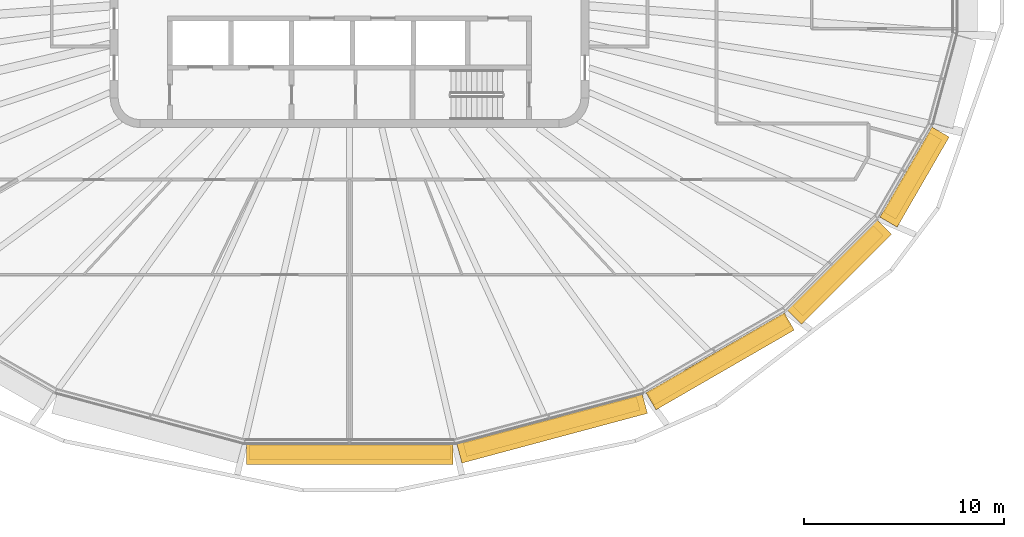
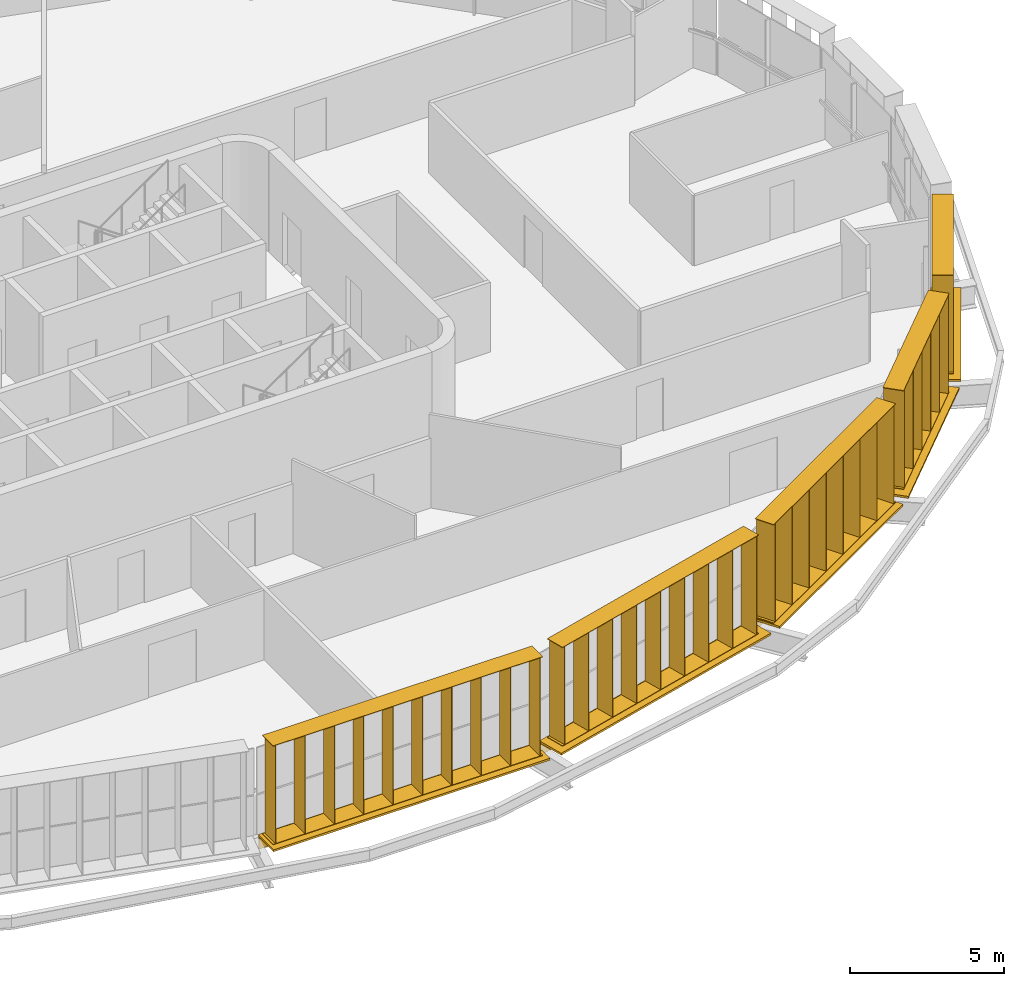
# One storey, part 18 of 20: 10 shading devices.
"""IFC4 building model written with IfcOpenShell, lengths in metres."""

from ifc_helpers import new_model, si_unit, direction, frame, origin, origin_2d, place, context, subcontext, project, spatial, rectangle, extrude, material, type_object, element, save


model = new_model("IFC4")

# Units and contexts
model_context = context("Model", 3, precision=1e-05, world=origin(), true_north=direction((0.0, 1.0)))
body_context = subcontext(model_context, "Body", "Model", "MODEL_VIEW")
ifc_project = project(units=[si_unit("LENGTHUNIT", "METRE"), si_unit("AREAUNIT", "SQUARE_METRE"), si_unit("VOLUMEUNIT", "CUBIC_METRE"), si_unit("PLANEANGLEUNIT", "RADIAN"), si_unit("MASSUNIT", "GRAM", prefix="KILO")], contexts=[model_context])

# Site, building, storey
site_placement = place(None, origin())
site = spatial("IfcSite", under=ifc_project, at=site_placement, CompositionType="ELEMENT")
building_placement = place(site_placement, origin())
building = spatial("IfcBuilding", under=site, at=building_placement, Name="Sahrelin Media Tower", CompositionType="ELEMENT")
storey_placement = place(building_placement, frame((0.0, 0.0, 245.60009765625)))
storey = spatial("IfcBuildingStorey", under=building, at=storey_placement, Name="L53", CompositionType="ELEMENT", Elevation=245.60009765625)

# Shading devices
ifc_material = material(Name="Champagne anodised aluminium 6063-T6", Category="aluminium")
shading_device_type_1 = type_object("IfcShadingDeviceType", Name="Fin cassette", PredefinedType="USERDEFINED", material=ifc_material)
placement_1 = place(storey_placement, frame((0.0, -22.85009765625, 0.0), z_axis=(0.0, 0.0, 1.0), x_axis=(-1.0, 0.0, 0.0)))
element("IfcShadingDevice", 1, at=placement_1, inside=storey, type_object=shading_device_type_1, Name="L53:FIN:L53-18", ObjectType="FIN", PredefinedType="USERDEFINED", context=body_context, shape_type="SweptSolid", body=[
    extrude(rectangle(XDim=10.10009765625, YDim=0.699951171875, at=origin_2d()), frame((0.0, 0.419921875, 0.0)), (0.0, 0.0, 1.0), 0.02001953125),
    extrude(rectangle(XDim=10.10009765625, YDim=0.699951171875, at=origin_2d()), frame((0.0, 0.419921875, 3.89990234375)), (0.0, 0.0, 1.0), 0.02001953125),
    extrude(rectangle(XDim=0.02001953125, YDim=0.699951171875, at=origin_2d()), frame((-4.949951171875, 0.419921875, 0.010009765625), z_axis=(0.0, 0.0, 1.0), x_axis=(1.0, 0.0, 0.0)), (0.0, 0.0, 1.0), 3.89990234375),
    extrude(rectangle(XDim=0.02001953125, YDim=0.699951171875, at=origin_2d()), frame((-3.85009765625, 0.419921875, 0.010009765625), z_axis=(0.0, 0.0, 1.0), x_axis=(1.0, 0.0, 0.0)), (0.0, 0.0, 1.0), 3.89990234375),
    extrude(rectangle(XDim=0.02001953125, YDim=0.699951171875, at=origin_2d()), frame((-2.75, 0.419921875, 0.010009765625), z_axis=(0.0, 0.0, 1.0), x_axis=(1.0, 0.0, 0.0)), (0.0, 0.0, 1.0), 3.89990234375),
    extrude(rectangle(XDim=0.02001953125, YDim=0.699951171875, at=origin_2d()), frame((-1.64990234375, 0.419921875, 0.010009765625), z_axis=(0.0, 0.0, 1.0), x_axis=(1.0, 0.0, 0.0)), (0.0, 0.0, 1.0), 3.89990234375),
    extrude(rectangle(XDim=0.02001953125, YDim=0.699951171875, at=origin_2d()), frame((-0.550048828125, 0.419921875, 0.010009765625), z_axis=(0.0, 0.0, 1.0), x_axis=(1.0, 0.0, 0.0)), (0.0, 0.0, 1.0), 3.89990234375),
    extrude(rectangle(XDim=0.02001953125, YDim=0.699951171875, at=origin_2d()), frame((0.550048828125, 0.419921875, 0.010009765625), z_axis=(0.0, 0.0, 1.0), x_axis=(1.0, 0.0, 0.0)), (0.0, 0.0, 1.0), 3.89990234375),
    extrude(rectangle(XDim=0.02001953125, YDim=0.699951171875, at=origin_2d()), frame((1.64990234375, 0.419921875, 0.010009765625), z_axis=(0.0, 0.0, 1.0), x_axis=(1.0, 0.0, 0.0)), (0.0, 0.0, 1.0), 3.89990234375),
    extrude(rectangle(XDim=0.02001953125, YDim=0.699951171875, at=origin_2d()), frame((2.75, 0.419921875, 0.010009765625), z_axis=(0.0, 0.0, 1.0), x_axis=(1.0, 0.0, 0.0)), (0.0, 0.0, 1.0), 3.89990234375),
    extrude(rectangle(XDim=0.02001953125, YDim=0.699951171875, at=origin_2d()), frame((3.85009765625, 0.419921875, 0.010009765625), z_axis=(0.0, 0.0, 1.0), x_axis=(1.0, 0.0, 0.0)), (0.0, 0.0, 1.0), 3.89990234375),
    extrude(rectangle(XDim=0.02001953125, YDim=0.699951171875, at=origin_2d()), frame((4.949951171875, 0.419921875, 0.010009765625), z_axis=(0.0, 0.0, 1.0), x_axis=(1.0, 0.0, 0.0)), (0.0, 0.0, 1.0), 3.89990234375),
])
placement_2 = place(storey_placement, frame((10.017578125, -21.578857421875, 0.0), z_axis=(0.0, 0.0, 1.0), x_axis=(-0.965928857556, -0.258807731996, 0.0)))
element("IfcShadingDevice", 2, at=placement_2, inside=storey, type_object=shading_device_type_1, Name="L53:FIN:L53-19", ObjectType="FIN", PredefinedType="USERDEFINED", context=body_context, shape_type="SweptSolid", body=[
    extrude(rectangle(XDim=9.0, YDim=0.699951171875, at=origin_2d()), frame((0.0, 0.419921875, 0.0)), (0.0, 0.0, 1.0), 0.02001953125),
    extrude(rectangle(XDim=9.0, YDim=0.699951171875, at=origin_2d()), frame((0.0, 0.419921875, 3.89990234375)), (0.0, 0.0, 1.0), 0.02001953125),
    extrude(rectangle(XDim=0.02001953125, YDim=0.699951171875, at=origin_2d()), frame((-4.39990234375, 0.419921875, 0.010009765625), z_axis=(0.0, 0.0, 1.0), x_axis=(1.0, 0.0, 0.0)), (0.0, 0.0, 1.0), 3.89990234375),
    extrude(rectangle(XDim=0.02001953125, YDim=0.699951171875, at=origin_2d()), frame((-3.300048828125, 0.419921875, 0.010009765625), z_axis=(0.0, 0.0, 1.0), x_axis=(1.0, 0.0, 0.0)), (0.0, 0.0, 1.0), 3.89990234375),
    extrude(rectangle(XDim=0.02001953125, YDim=0.699951171875, at=origin_2d()), frame((-2.199951171875, 0.419921875, 0.010009765625), z_axis=(0.0, 0.0, 1.0), x_axis=(1.0, 0.0, 0.0)), (0.0, 0.0, 1.0), 3.89990234375),
    extrude(rectangle(XDim=0.02001953125, YDim=0.699951171875, at=origin_2d()), frame((-1.10009765625, 0.419921875, 0.010009765625), z_axis=(0.0, 0.0, 1.0), x_axis=(1.0, 0.0, 0.0)), (0.0, 0.0, 1.0), 3.89990234375),
    extrude(rectangle(XDim=0.02001953125, YDim=0.699951171875, at=origin_2d()), frame((0.0, 0.419921875, 0.010009765625), z_axis=(0.0, 0.0, 1.0), x_axis=(1.0, 0.0, 0.0)), (0.0, 0.0, 1.0), 3.89990234375),
    extrude(rectangle(XDim=0.02001953125, YDim=0.699951171875, at=origin_2d()), frame((1.10009765625, 0.419921875, 0.010009765625), z_axis=(0.0, 0.0, 1.0), x_axis=(1.0, 0.0, 0.0)), (0.0, 0.0, 1.0), 3.89990234375),
    extrude(rectangle(XDim=0.02001953125, YDim=0.699951171875, at=origin_2d()), frame((2.199951171875, 0.419921875, 0.010009765625), z_axis=(0.0, 0.0, 1.0), x_axis=(1.0, 0.0, 0.0)), (0.0, 0.0, 1.0), 3.89990234375),
    extrude(rectangle(XDim=0.02001953125, YDim=0.699951171875, at=origin_2d()), frame((3.300048828125, 0.419921875, 0.010009765625), z_axis=(0.0, 0.0, 1.0), x_axis=(1.0, 0.0, 0.0)), (0.0, 0.0, 1.0), 3.89990234375),
    extrude(rectangle(XDim=0.02001953125, YDim=0.699951171875, at=origin_2d()), frame((4.39990234375, 0.419921875, 0.010009765625), z_axis=(0.0, 0.0, 1.0), x_axis=(1.0, 0.0, 0.0)), (0.0, 0.0, 1.0), 3.89990234375),
])
placement_3 = place(storey_placement, frame((18.3115234375, -18.258056640625, 0.0), z_axis=(0.0, 0.0, 1.0), x_axis=(-0.866019052629, -0.500011000363, 0.0)))
element("IfcShadingDevice", 3, at=placement_3, inside=storey, type_object=shading_device_type_1, Name="L53:FIN:L53-20", ObjectType="FIN", PredefinedType="USERDEFINED", context=body_context, shape_type="SweptSolid", body=[
    extrude(rectangle(XDim=7.89990234375, YDim=0.699951171875, at=origin_2d()), frame((0.0, 0.419921875, 0.0)), (0.0, 0.0, 1.0), 0.02001953125),
    extrude(rectangle(XDim=7.89990234375, YDim=0.699951171875, at=origin_2d()), frame((0.0, 0.419921875, 3.89990234375)), (0.0, 0.0, 1.0), 0.02001953125),
    extrude(rectangle(XDim=0.02001953125, YDim=0.699951171875, at=origin_2d()), frame((-3.85009765625, 0.419921875, 0.010009765625), z_axis=(0.0, 0.0, 1.0), x_axis=(1.0, 0.0, 0.0)), (0.0, 0.0, 1.0), 3.89990234375),
    extrude(rectangle(XDim=0.02001953125, YDim=0.699951171875, at=origin_2d()), frame((-2.75, 0.419921875, 0.010009765625), z_axis=(0.0, 0.0, 1.0), x_axis=(1.0, 0.0, 0.0)), (0.0, 0.0, 1.0), 3.89990234375),
    extrude(rectangle(XDim=0.02001953125, YDim=0.699951171875, at=origin_2d()), frame((-1.64990234375, 0.419921875, 0.010009765625), z_axis=(0.0, 0.0, 1.0), x_axis=(1.0, 0.0, 0.0)), (0.0, 0.0, 1.0), 3.89990234375),
    extrude(rectangle(XDim=0.02001953125, YDim=0.699951171875, at=origin_2d()), frame((-0.550048828125, 0.419921875, 0.010009765625), z_axis=(0.0, 0.0, 1.0), x_axis=(1.0, 0.0, 0.0)), (0.0, 0.0, 1.0), 3.89990234375),
    extrude(rectangle(XDim=0.02001953125, YDim=0.699951171875, at=origin_2d()), frame((0.550048828125, 0.419921875, 0.010009765625), z_axis=(0.0, 0.0, 1.0), x_axis=(1.0, 0.0, 0.0)), (0.0, 0.0, 1.0), 3.89990234375),
    extrude(rectangle(XDim=0.02001953125, YDim=0.699951171875, at=origin_2d()), frame((1.64990234375, 0.419921875, 0.010009765625), z_axis=(0.0, 0.0, 1.0), x_axis=(1.0, 0.0, 0.0)), (0.0, 0.0, 1.0), 3.89990234375),
    extrude(rectangle(XDim=0.02001953125, YDim=0.699951171875, at=origin_2d()), frame((2.75, 0.419921875, 0.010009765625), z_axis=(0.0, 0.0, 1.0), x_axis=(1.0, 0.0, 0.0)), (0.0, 0.0, 1.0), 3.89990234375),
    extrude(rectangle(XDim=0.02001953125, YDim=0.699951171875, at=origin_2d()), frame((3.85009765625, 0.419921875, 0.010009765625), z_axis=(0.0, 0.0, 1.0), x_axis=(1.0, 0.0, 0.0)), (0.0, 0.0, 1.0), 3.89990234375),
])
placement_4 = place(storey_placement, frame((24.1865234375, -13.883544921875, 0.0), z_axis=(0.0, 0.0, 1.0), x_axis=(-0.707106781187, -0.707106781187, 0.0)))
element("IfcShadingDevice", 4, at=placement_4, inside=storey, type_object=shading_device_type_1, Name="L53:FIN:L53-21", ObjectType="FIN", PredefinedType="USERDEFINED", context=body_context, shape_type="SweptSolid", body=[
    extrude(rectangle(XDim=5.699951171875, YDim=0.699951171875, at=origin_2d()), frame((0.0, 0.419921875, 0.0)), (0.0, 0.0, 1.0), 0.02001953125),
    extrude(rectangle(XDim=5.699951171875, YDim=0.699951171875, at=origin_2d()), frame((0.0, 0.419921875, 3.89990234375)), (0.0, 0.0, 1.0), 0.02001953125),
    extrude(rectangle(XDim=0.02001953125, YDim=0.699951171875, at=origin_2d()), frame((-2.75, 0.419921875, 0.010009765625), z_axis=(0.0, 0.0, 1.0), x_axis=(1.0, 0.0, 0.0)), (0.0, 0.0, 1.0), 3.89990234375),
    extrude(rectangle(XDim=0.02001953125, YDim=0.699951171875, at=origin_2d()), frame((-1.64990234375, 0.419921875, 0.010009765625), z_axis=(0.0, 0.0, 1.0), x_axis=(1.0, 0.0, 0.0)), (0.0, 0.0, 1.0), 3.89990234375),
    extrude(rectangle(XDim=0.02001953125, YDim=0.699951171875, at=origin_2d()), frame((-0.550048828125, 0.419921875, 0.010009765625), z_axis=(0.0, 0.0, 1.0), x_axis=(1.0, 0.0, 0.0)), (0.0, 0.0, 1.0), 3.89990234375),
    extrude(rectangle(XDim=0.02001953125, YDim=0.699951171875, at=origin_2d()), frame((0.550048828125, 0.419921875, 0.010009765625), z_axis=(0.0, 0.0, 1.0), x_axis=(1.0, 0.0, 0.0)), (0.0, 0.0, 1.0), 3.89990234375),
    extrude(rectangle(XDim=0.02001953125, YDim=0.699951171875, at=origin_2d()), frame((1.64990234375, 0.419921875, 0.010009765625), z_axis=(0.0, 0.0, 1.0), x_axis=(1.0, 0.0, 0.0)), (0.0, 0.0, 1.0), 3.89990234375),
    extrude(rectangle(XDim=0.02001953125, YDim=0.699951171875, at=origin_2d()), frame((2.75, 0.419921875, 0.010009765625), z_axis=(0.0, 0.0, 1.0), x_axis=(1.0, 0.0, 0.0)), (0.0, 0.0, 1.0), 3.89990234375),
])
placement_5 = place(storey_placement, frame((27.865234375, -9.214111328125, 0.0), z_axis=(0.0, 0.0, 1.0), x_axis=(-0.500011000363, -0.866019052629, 0.0)))
element("IfcShadingDevice", 5, at=placement_5, inside=storey, type_object=shading_device_type_1, Name="L53:FIN:L53-22", ObjectType="FIN", PredefinedType="USERDEFINED", context=body_context, shape_type="SweptSolid", body=[
    extrude(rectangle(XDim=4.60009765625, YDim=0.699951171875, at=origin_2d()), frame((0.0, 0.419921875, 0.0)), (0.0, 0.0, 1.0), 0.02001953125),
    extrude(rectangle(XDim=4.60009765625, YDim=0.699951171875, at=origin_2d()), frame((0.0, 0.419921875, 3.89990234375)), (0.0, 0.0, 1.0), 0.02001953125),
    extrude(rectangle(XDim=0.02001953125, YDim=0.699951171875, at=origin_2d()), frame((-2.199951171875, 0.419921875, 0.010009765625), z_axis=(0.0, 0.0, 1.0), x_axis=(1.0, 0.0, 0.0)), (0.0, 0.0, 1.0), 3.89990234375),
    extrude(rectangle(XDim=0.02001953125, YDim=0.699951171875, at=origin_2d()), frame((-1.10009765625, 0.419921875, 0.010009765625), z_axis=(0.0, 0.0, 1.0), x_axis=(1.0, 0.0, 0.0)), (0.0, 0.0, 1.0), 3.89990234375),
    extrude(rectangle(XDim=0.02001953125, YDim=0.699951171875, at=origin_2d()), frame((0.0, 0.419921875, 0.010009765625), z_axis=(0.0, 0.0, 1.0), x_axis=(1.0, 0.0, 0.0)), (0.0, 0.0, 1.0), 3.89990234375),
    extrude(rectangle(XDim=0.02001953125, YDim=0.699951171875, at=origin_2d()), frame((1.10009765625, 0.419921875, 0.010009765625), z_axis=(0.0, 0.0, 1.0), x_axis=(1.0, 0.0, 0.0)), (0.0, 0.0, 1.0), 3.89990234375),
    extrude(rectangle(XDim=0.02001953125, YDim=0.699951171875, at=origin_2d()), frame((2.199951171875, 0.419921875, 0.010009765625), z_axis=(0.0, 0.0, 1.0), x_axis=(1.0, 0.0, 0.0)), (0.0, 0.0, 1.0), 3.89990234375),
])
shading_device_type_2 = type_object("IfcShadingDeviceType", Name="Sunshade band", PredefinedType="USERDEFINED", material=ifc_material)
element("IfcShadingDevice", 6, at=placement_1, inside=storey, type_object=shading_device_type_2, Name="L53:SUN:L53-18", ObjectType="SUNSHADE", PredefinedType="USERDEFINED", context=body_context, shape_type="SweptSolid", body=[
    extrude(rectangle(XDim=10.3466796875, YDim=0.050048828125, at=origin_2d()), frame((0.0, 0.044921875, -0.55126953125)), (0.0, 0.0, 1.0), 0.471435546875),
    extrude(rectangle(XDim=10.3466796875, YDim=1.0, at=origin_2d()), frame((0.0, 0.52001953125, -0.080078125)), (0.0, 0.0, 1.0), 0.080078125),
    extrude(rectangle(XDim=0.10009765625, YDim=0.074951171875, at=origin_2d()), frame((-5.0732421875, -0.017578125, -0.47021484375)), (0.0, 0.0, 1.0), 0.300048828125),
    extrude(rectangle(XDim=0.10009765625, YDim=0.074951171875, at=origin_2d()), frame((-3.382080078125, -0.017578125, -0.47021484375)), (0.0, 0.0, 1.0), 0.300048828125),
    extrude(rectangle(XDim=0.10009765625, YDim=0.074951171875, at=origin_2d()), frame((-1.691162109375, -0.017578125, -0.47021484375)), (0.0, 0.0, 1.0), 0.300048828125),
    extrude(rectangle(XDim=0.10009765625, YDim=0.074951171875, at=origin_2d()), frame((0.0, -0.017578125, -0.47021484375)), (0.0, 0.0, 1.0), 0.300048828125),
    extrude(rectangle(XDim=0.10009765625, YDim=0.074951171875, at=origin_2d()), frame((1.691162109375, -0.017578125, -0.47021484375)), (0.0, 0.0, 1.0), 0.300048828125),
    extrude(rectangle(XDim=0.10009765625, YDim=0.074951171875, at=origin_2d()), frame((3.382080078125, -0.017578125, -0.47021484375)), (0.0, 0.0, 1.0), 0.300048828125),
    extrude(rectangle(XDim=0.10009765625, YDim=0.074951171875, at=origin_2d()), frame((5.0732421875, -0.017578125, -0.47021484375)), (0.0, 0.0, 1.0), 0.300048828125),
])
element("IfcShadingDevice", 7, at=placement_2, inside=storey, type_object=shading_device_type_2, Name="L53:SUN:L53-19", ObjectType="SUNSHADE", PredefinedType="USERDEFINED", context=body_context, shape_type="SweptSolid", body=[
    extrude(rectangle(XDim=9.623291015625, YDim=0.050048828125, at=origin_2d()), frame((0.0, 0.044921875, -0.55126953125)), (0.0, 0.0, 1.0), 0.471435546875),
    extrude(rectangle(XDim=9.623291015625, YDim=1.0, at=origin_2d()), frame((0.0, 0.52001953125, -0.080078125)), (0.0, 0.0, 1.0), 0.080078125),
    extrude(rectangle(XDim=0.10009765625, YDim=0.074951171875, at=origin_2d()), frame((-4.711669921875, -0.017578125, -0.47021484375)), (0.0, 0.0, 1.0), 0.300048828125),
    extrude(rectangle(XDim=0.10009765625, YDim=0.074951171875, at=origin_2d()), frame((-2.826904296875, -0.017578125, -0.47021484375)), (0.0, 0.0, 1.0), 0.300048828125),
    extrude(rectangle(XDim=0.10009765625, YDim=0.074951171875, at=origin_2d()), frame((-0.9423828125, -0.017578125, -0.47021484375)), (0.0, 0.0, 1.0), 0.300048828125),
    extrude(rectangle(XDim=0.10009765625, YDim=0.074951171875, at=origin_2d()), frame((0.9423828125, -0.017578125, -0.47021484375)), (0.0, 0.0, 1.0), 0.300048828125),
    extrude(rectangle(XDim=0.10009765625, YDim=0.074951171875, at=origin_2d()), frame((2.826904296875, -0.017578125, -0.47021484375)), (0.0, 0.0, 1.0), 0.300048828125),
    extrude(rectangle(XDim=0.10009765625, YDim=0.074951171875, at=origin_2d()), frame((4.711669921875, -0.017578125, -0.47021484375)), (0.0, 0.0, 1.0), 0.300048828125),
])
element("IfcShadingDevice", 8, at=placement_3, inside=storey, type_object=shading_device_type_2, Name="L53:SUN:L53-20", ObjectType="SUNSHADE", PredefinedType="USERDEFINED", context=body_context, shape_type="SweptSolid", body=[
    extrude(rectangle(XDim=7.997314453125, YDim=0.050048828125, at=origin_2d()), frame((0.0, 0.044921875, -0.55126953125)), (0.0, 0.0, 1.0), 0.471435546875),
    extrude(rectangle(XDim=7.997314453125, YDim=1.0, at=origin_2d()), frame((0.0, 0.52001953125, -0.080078125)), (0.0, 0.0, 1.0), 0.080078125),
    extrude(rectangle(XDim=0.10009765625, YDim=0.074951171875, at=origin_2d()), frame((-3.898681640625, -0.017578125, -0.47021484375)), (0.0, 0.0, 1.0), 0.300048828125),
    extrude(rectangle(XDim=0.10009765625, YDim=0.074951171875, at=origin_2d()), frame((-1.949462890625, -0.017578125, -0.47021484375)), (0.0, 0.0, 1.0), 0.300048828125),
    extrude(rectangle(XDim=0.10009765625, YDim=0.074951171875, at=origin_2d()), frame((0.0, -0.017578125, -0.47021484375)), (0.0, 0.0, 1.0), 0.300048828125),
    extrude(rectangle(XDim=0.10009765625, YDim=0.074951171875, at=origin_2d()), frame((1.949462890625, -0.017578125, -0.47021484375)), (0.0, 0.0, 1.0), 0.300048828125),
    extrude(rectangle(XDim=0.10009765625, YDim=0.074951171875, at=origin_2d()), frame((3.898681640625, -0.017578125, -0.47021484375)), (0.0, 0.0, 1.0), 0.300048828125),
])
element("IfcShadingDevice", 9, at=placement_4, inside=storey, type_object=shading_device_type_2, Name="L53:SUN:L53-21", ObjectType="SUNSHADE", PredefinedType="USERDEFINED", context=body_context, shape_type="SweptSolid", body=[
    extrude(rectangle(XDim=6.377197265625, YDim=0.050048828125, at=origin_2d()), frame((0.0, 0.044921875, -0.55126953125)), (0.0, 0.0, 1.0), 0.471435546875),
    extrude(rectangle(XDim=6.377197265625, YDim=1.0, at=origin_2d()), frame((0.0, 0.52001953125, -0.080078125)), (0.0, 0.0, 1.0), 0.080078125),
    extrude(rectangle(XDim=0.10009765625, YDim=0.074951171875, at=origin_2d()), frame((-3.08837890625, -0.017578125, -0.47021484375)), (0.0, 0.0, 1.0), 0.300048828125),
    extrude(rectangle(XDim=0.10009765625, YDim=0.074951171875, at=origin_2d()), frame((-1.544189453125, -0.017578125, -0.47021484375)), (0.0, 0.0, 1.0), 0.300048828125),
    extrude(rectangle(XDim=0.10009765625, YDim=0.074951171875, at=origin_2d()), frame((0.0, -0.017578125, -0.47021484375)), (0.0, 0.0, 1.0), 0.300048828125),
    extrude(rectangle(XDim=0.10009765625, YDim=0.074951171875, at=origin_2d()), frame((1.544189453125, -0.017578125, -0.47021484375)), (0.0, 0.0, 1.0), 0.300048828125),
    extrude(rectangle(XDim=0.10009765625, YDim=0.074951171875, at=origin_2d()), frame((3.08837890625, -0.017578125, -0.47021484375)), (0.0, 0.0, 1.0), 0.300048828125),
])
element("IfcShadingDevice", 10, at=placement_5, inside=storey, type_object=shading_device_type_2, Name="L53:SUN:L53-22", ObjectType="SUNSHADE", PredefinedType="USERDEFINED", context=body_context, shape_type="SweptSolid", body=[
    extrude(rectangle(XDim=5.21337890625, YDim=0.050048828125, at=origin_2d()), frame((0.0, 0.044921875, -0.55126953125)), (0.0, 0.0, 1.0), 0.471435546875),
    extrude(rectangle(XDim=5.21337890625, YDim=1.0, at=origin_2d()), frame((0.0, 0.52001953125, -0.080078125)), (0.0, 0.0, 1.0), 0.080078125),
    extrude(rectangle(XDim=0.10009765625, YDim=0.074951171875, at=origin_2d()), frame((-2.5068359375, -0.017578125, -0.47021484375)), (0.0, 0.0, 1.0), 0.300048828125),
    extrude(rectangle(XDim=0.10009765625, YDim=0.074951171875, at=origin_2d()), frame((-0.835693359375, -0.017578125, -0.47021484375)), (0.0, 0.0, 1.0), 0.300048828125),
    extrude(rectangle(XDim=0.10009765625, YDim=0.074951171875, at=origin_2d()), frame((0.835693359375, -0.017578125, -0.47021484375)), (0.0, 0.0, 1.0), 0.300048828125),
    extrude(rectangle(XDim=0.10009765625, YDim=0.074951171875, at=origin_2d()), frame((2.5068359375, -0.017578125, -0.47021484375)), (0.0, 0.0, 1.0), 0.300048828125),
])

save(model, "model.ifc")
